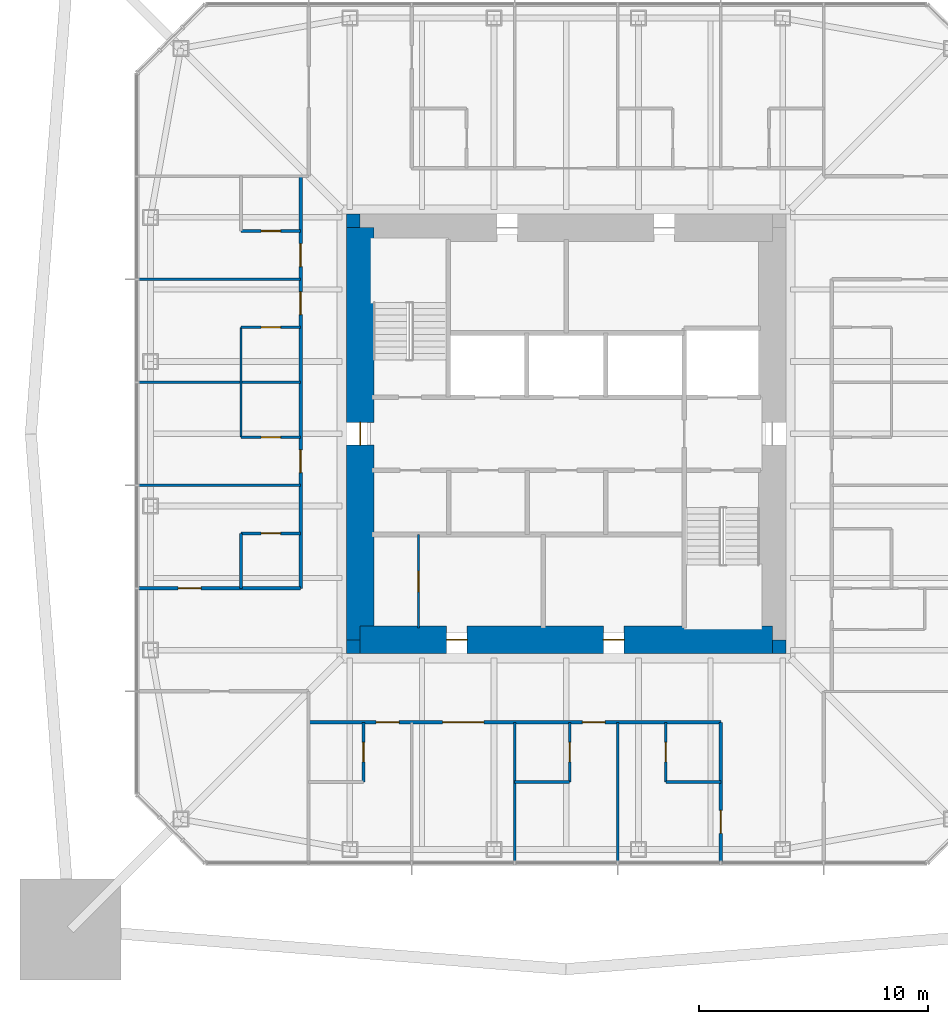
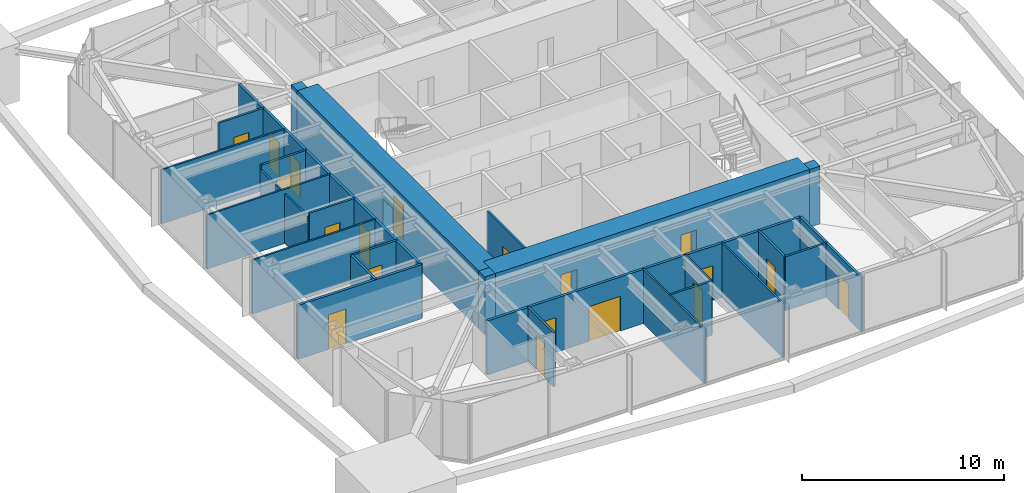
# One storey, part 8 of 13: 26 walls, 19 doors, 19 openings.
"""IFC4 building model written with IfcOpenShell, lengths in metres."""

from ifc_helpers import new_model, si_unit, direction, frame, frame_2d, origin, place, context, subcontext, project, spatial, rectangle, extrude, material, layer, layer_set, type_object, element, fill, save


model = new_model("IFC4")

# Units and contexts
model_context = context("Model", 3, precision=1e-05, world=origin(), true_north=direction((0.0, 1.0)))
body_context = subcontext(model_context, "Body", "Model", "MODEL_VIEW")
ifc_project = project(units=[si_unit("LENGTHUNIT", "METRE"), si_unit("AREAUNIT", "SQUARE_METRE"), si_unit("VOLUMEUNIT", "CUBIC_METRE"), si_unit("PLANEANGLEUNIT", "RADIAN"), si_unit("MASSUNIT", "GRAM", prefix="KILO")], contexts=[model_context])

# Site, building, storey
site_placement = place(None, origin())
site = spatial("IfcSite", under=ifc_project, at=site_placement, CompositionType="ELEMENT")
building_placement = place(site_placement, origin())
building = spatial("IfcBuilding", under=site, at=building_placement, Name="Iwan Alto Co-Living Towers", CompositionType="ELEMENT")
storey_placement = place(building_placement, frame((0.0, 0.0, 160.0)))
storey = spatial("IfcBuildingStorey", under=building, at=storey_placement, Name="L43", CompositionType="ELEMENT", Elevation=160.0)

# Wall, openings, doors
ifc_material_1 = material(Name="Gypsum board")
ifc_layer_1 = layer(ifc_material_1, 0.02490234375, Name="Board", Category="Finish")
ifc_material_2 = material(Name="Steel ASTM A1003 ST33H cold-formed studs", Category="steel")
ifc_layer_2 = layer(ifc_material_2, 0.10009765625, Name="Studs", Category="Framing")
ifc_layer_3 = layer(ifc_material_1, 0.02490234375, Name="Board", Category="Finish")
ifc_layer_set_1 = layer_set([ifc_layer_1, ifc_layer_2, ifc_layer_3], Name="CORRIDOR WALL 150")
wall_type_1 = type_object("IfcWallType", Name="CORRIDOR WALL 150", PredefinedType="PARTITIONING", material=ifc_layer_set_1)
wall_1_placement = place(storey_placement, frame((-11.25, -12.60009765625, 0.0), z_axis=(0.0, 0.0, 1.0), x_axis=(1.0, 0.0, 0.0)))
wall_1 = element("IfcWall", 1, at=wall_1_placement, inside=storey, type_object=wall_type_1, Name="Partition L43", PredefinedType="PARTITIONING", context=body_context, shape_type="SweptSolid", body=[
    extrude(rectangle(XDim=18.0, YDim=0.14990234375, at=frame_2d((9.0, 0.0))), origin(), (0.0, 0.0, 1.0), 3.27001953125),
])
opening_1_placement = place(wall_1_placement, frame((2.949951171875, 0.0, 0.0)))
opening_1 = element("IfcOpeningElement", 2, at=opening_1_placement, cuts=wall_1, Name="Opening D3", PredefinedType="OPENING", context=body_context, shape_type="SweptSolid", body=[
    extrude(rectangle(XDim=1.0, YDim=2.10009765625, at=frame_2d((0.5, 1.050048828125))), frame((0.0, 0.0849609375, 0.0), z_axis=(0.0, -1.0, 0.0), x_axis=(1.0, 0.0, 0.0)), (0.0, 0.0, 1.0), 0.169921875),
])
opening_2_placement = place(wall_1_placement, frame((5.85009765625, 0.0, 0.0)))
opening_2 = element("IfcOpeningElement", 3, at=opening_2_placement, cuts=wall_1, Name="Opening D9", PredefinedType="OPENING", context=body_context, shape_type="SweptSolid", body=[
    extrude(rectangle(XDim=1.800048828125, YDim=2.10009765625, at=frame_2d((0.89990234375, 1.050048828125))), frame((0.0, 0.0849609375, 0.0), z_axis=(0.0, -1.0, 0.0), x_axis=(1.0, 0.0, 0.0)), (0.0, 0.0, 1.0), 0.169921875),
])
opening_3_placement = place(wall_1_placement, frame((11.949951171875, 0.0, 0.0)))
opening_3 = element("IfcOpeningElement", 4, at=opening_3_placement, cuts=wall_1, Name="Opening D3", PredefinedType="OPENING", context=body_context, shape_type="SweptSolid", body=[
    extrude(rectangle(XDim=1.0, YDim=2.10009765625, at=frame_2d((0.5, 1.050048828125))), frame((0.0, 0.0849609375, 0.0), z_axis=(0.0, -1.0, 0.0), x_axis=(1.0, 0.0, 0.0)), (0.0, 0.0, 1.0), 0.169921875),
])
ifc_material_3 = material(Name="Steel frame with timber leaf", Category="steel")
door_type_1 = type_object("IfcDoorType", Name="FLAT ENTRANCE DOOR FD30S 1000X2100", OperationType="SINGLE_SWING_LEFT", PredefinedType="DOOR", material=ifc_material_3)
door_1_placement = place(opening_1_placement, frame((1.0, 0.0, 0.0), z_axis=(0.0, 0.0, 1.0), x_axis=(-1.0, 0.0, 0.0)))
door_1 = element("IfcDoor", 5, at=door_1_placement, inside=storey, type_object=door_type_1, Name="Studio door L43", OperationType="SINGLE_SWING_RIGHT", OverallHeight=2.10009765625, OverallWidth=1.0, PredefinedType="DOOR", context=body_context, shape_type="SweptSolid", body=[
    extrude(rectangle(XDim=1.0, YDim=2.10009765625, at=frame_2d((0.5, 1.050048828125))), frame((0.0, 0.02490234375, 0.0), z_axis=(0.0, -1.0, 0.0), x_axis=(1.0, 0.0, 0.0)), (0.0, 0.0, 1.0), 0.050048828125),
])
fill(opening_1, door_1)
door_2_placement = place(opening_3_placement, frame((1.0, 0.0, 0.0), z_axis=(0.0, 0.0, 1.0), x_axis=(-1.0, 0.0, 0.0)))
door_2 = element("IfcDoor", 6, at=door_2_placement, inside=storey, type_object=door_type_1, Name="Studio door L43", OperationType="SINGLE_SWING_RIGHT", OverallHeight=2.10009765625, OverallWidth=1.0, PredefinedType="DOOR", context=body_context, shape_type="SweptSolid", body=[
    extrude(rectangle(XDim=1.0, YDim=2.10009765625, at=frame_2d((0.5, 1.050048828125))), frame((0.0, 0.02490234375, 0.0), z_axis=(0.0, -1.0, 0.0), x_axis=(1.0, 0.0, 0.0)), (0.0, 0.0, 1.0), 0.050048828125),
])
fill(opening_3, door_2)
ifc_material_4 = material(Name="Steel frame with timber leaf", Category="steel")
door_type_2 = type_object("IfcDoorType", Name="LOUNGE DOOR FD30S 1800X2100", OperationType="DOUBLE_DOOR_SINGLE_SWING", PredefinedType="DOOR", material=ifc_material_4)
door_3_placement = place(opening_2_placement, frame((1.800048828125, 0.0, 0.0), z_axis=(0.0, 0.0, 1.0), x_axis=(-1.0, 0.0, 0.0)))
door_3 = element("IfcDoor", 7, at=door_3_placement, inside=storey, type_object=door_type_2, Name="Seminar room door L43", OperationType="DOUBLE_DOOR_SINGLE_SWING", OverallHeight=2.10009765625, OverallWidth=1.800048828125, PredefinedType="DOOR", context=body_context, shape_type="SweptSolid", body=[
    extrude(rectangle(XDim=1.800048828125, YDim=2.10009765625, at=frame_2d((0.89990234375, 1.050048828125))), frame((0.0, 0.02490234375, 0.0), z_axis=(0.0, -1.0, 0.0), x_axis=(1.0, 0.0, 0.0)), (0.0, 0.0, 1.0), 0.050048828125),
])
fill(opening_2, door_3)

# Wall, opening, door
wall_2_placement = place(storey_placement, frame((-18.68994140625, -6.75, 0.0), z_axis=(0.0, 0.0, 1.0), x_axis=(1.0, 0.0, 0.0)))
wall_2 = element("IfcWall", 8, at=wall_2_placement, inside=storey, type_object=wall_type_1, Name="Partition L43", PredefinedType="PARTITIONING", context=body_context, shape_type="SweptSolid", body=[
    extrude(rectangle(XDim=7.08984375, YDim=0.14990234375, at=frame_2d((3.544921875, 0.0))), origin(), (0.0, 0.0, 1.0), 3.27001953125),
])
opening_4_placement = place(wall_2_placement, frame((1.7451171875, 0.0, 0.0)))
opening_4 = element("IfcOpeningElement", 9, at=opening_4_placement, cuts=wall_2, Name="Opening D3", PredefinedType="OPENING", context=body_context, shape_type="SweptSolid", body=[
    extrude(rectangle(XDim=1.0, YDim=2.10009765625, at=frame_2d((0.5, 1.050048828125))), frame((0.0, 0.0849609375, 0.0), z_axis=(0.0, -1.0, 0.0), x_axis=(1.0, 0.0, 0.0)), (0.0, 0.0, 1.0), 0.169921875),
])
door_4_placement = place(opening_4_placement, origin())
door_4 = element("IfcDoor", 10, at=door_4_placement, inside=storey, type_object=door_type_1, Name="Studio door L43", OperationType="SINGLE_SWING_RIGHT", OverallHeight=2.10009765625, OverallWidth=1.0, PredefinedType="DOOR", context=body_context, shape_type="SweptSolid", body=[
    extrude(rectangle(XDim=1.0, YDim=2.10009765625, at=frame_2d((0.5, 1.050048828125))), frame((0.0, 0.02490234375, 0.0), z_axis=(0.0, -1.0, 0.0), x_axis=(1.0, 0.0, 0.0)), (0.0, 0.0, 1.0), 0.050048828125),
])
fill(opening_4, door_4)

wall_3_placement = place(storey_placement, frame((6.75, -18.68994140625, 0.0), z_axis=(0.0, 0.0, 1.0), x_axis=(0.0, 1.0, 0.0)))
wall_3 = element("IfcWall", 11, at=wall_3_placement, inside=storey, type_object=wall_type_1, Name="Partition L43", PredefinedType="PARTITIONING", context=body_context, shape_type="SweptSolid", body=[
    extrude(rectangle(XDim=6.08984375, YDim=0.14990234375, at=frame_2d((3.044921875, 0.0))), origin(), (0.0, 0.0, 1.0), 3.27001953125),
])
opening_5_placement = place(wall_3_placement, frame((1.2451171875, 0.0, 0.0)))
opening_5 = element("IfcOpeningElement", 12, at=opening_5_placement, cuts=wall_3, Name="Opening D3", PredefinedType="OPENING", context=body_context, shape_type="SweptSolid", body=[
    extrude(rectangle(XDim=1.0, YDim=2.10009765625, at=frame_2d((0.5, 1.050048828125))), frame((0.0, 0.0849609375, 0.0), z_axis=(0.0, -1.0, 0.0), x_axis=(1.0, 0.0, 0.0)), (0.0, 0.0, 1.0), 0.169921875),
])
door_5_placement = place(opening_5_placement, origin())
door_5 = element("IfcDoor", 13, at=door_5_placement, inside=storey, type_object=door_type_1, Name="Studio door L43", OperationType="SINGLE_SWING_RIGHT", OverallHeight=2.10009765625, OverallWidth=1.0, PredefinedType="DOOR", context=body_context, shape_type="SweptSolid", body=[
    extrude(rectangle(XDim=1.0, YDim=2.10009765625, at=frame_2d((0.5, 1.050048828125))), frame((0.0, 0.02490234375, 0.0), z_axis=(0.0, -1.0, 0.0), x_axis=(1.0, 0.0, 0.0)), (0.0, 0.0, 1.0), 0.050048828125),
])
fill(opening_5, door_5)

# Wall, openings, doors
wall_4_placement = place(storey_placement, frame((-11.60009765625, -6.75, 0.0), z_axis=(0.0, 0.0, 1.0), x_axis=(0.0, 1.0, 0.0)))
wall_4 = element("IfcWall", 14, at=wall_4_placement, inside=storey, type_object=wall_type_1, Name="Partition L43", PredefinedType="PARTITIONING", context=body_context, shape_type="SweptSolid", body=[
    extrude(rectangle(XDim=18.0, YDim=0.14990234375, at=frame_2d((9.0, 0.0))), origin(), (0.0, 0.0, 1.0), 3.27001953125),
])
opening_6_placement = place(wall_4_placement, frame((14.050048828125, 0.0, 0.0)))
opening_6 = element("IfcOpeningElement", 15, at=opening_6_placement, cuts=wall_4, Name="Opening D3", PredefinedType="OPENING", context=body_context, shape_type="SweptSolid", body=[
    extrude(rectangle(XDim=1.0, YDim=2.10009765625, at=frame_2d((0.5, 1.050048828125))), frame((0.0, 0.0849609375, 0.0), z_axis=(0.0, -1.0, 0.0), x_axis=(1.0, 0.0, 0.0)), (0.0, 0.0, 1.0), 0.169921875),
])
opening_7_placement = place(wall_4_placement, frame((11.949951171875, 0.0, 0.0)))
opening_7 = element("IfcOpeningElement", 16, at=opening_7_placement, cuts=wall_4, Name="Opening D3", PredefinedType="OPENING", context=body_context, shape_type="SweptSolid", body=[
    extrude(rectangle(XDim=1.0, YDim=2.10009765625, at=frame_2d((0.5, 1.050048828125))), frame((0.0, 0.0849609375, 0.0), z_axis=(0.0, -1.0, 0.0), x_axis=(1.0, 0.0, 0.0)), (0.0, 0.0, 1.0), 0.169921875),
])
opening_8_placement = place(wall_4_placement, frame((5.050048828125, 0.0, 0.0)))
opening_8 = element("IfcOpeningElement", 17, at=opening_8_placement, cuts=wall_4, Name="Opening D3", PredefinedType="OPENING", context=body_context, shape_type="SweptSolid", body=[
    extrude(rectangle(XDim=1.0, YDim=2.10009765625, at=frame_2d((0.5, 1.050048828125))), frame((0.0, 0.0849609375, 0.0), z_axis=(0.0, -1.0, 0.0), x_axis=(1.0, 0.0, 0.0)), (0.0, 0.0, 1.0), 0.169921875),
])
door_6_placement = place(opening_6_placement, origin())
door_6 = element("IfcDoor", 18, at=door_6_placement, inside=storey, type_object=door_type_1, Name="Studio door L43", OperationType="SINGLE_SWING_LEFT", OverallHeight=2.10009765625, OverallWidth=1.0, PredefinedType="DOOR", context=body_context, shape_type="SweptSolid", body=[
    extrude(rectangle(XDim=1.0, YDim=2.10009765625, at=frame_2d((0.5, 1.050048828125))), frame((0.0, 0.02490234375, 0.0), z_axis=(0.0, -1.0, 0.0), x_axis=(1.0, 0.0, 0.0)), (0.0, 0.0, 1.0), 0.050048828125),
])
fill(opening_6, door_6)
door_7_placement = place(opening_7_placement, origin())
door_7 = element("IfcDoor", 19, at=door_7_placement, inside=storey, type_object=door_type_1, Name="Studio door L43", OperationType="SINGLE_SWING_LEFT", OverallHeight=2.10009765625, OverallWidth=1.0, PredefinedType="DOOR", context=body_context, shape_type="SweptSolid", body=[
    extrude(rectangle(XDim=1.0, YDim=2.10009765625, at=frame_2d((0.5, 1.050048828125))), frame((0.0, 0.02490234375, 0.0), z_axis=(0.0, -1.0, 0.0), x_axis=(1.0, 0.0, 0.0)), (0.0, 0.0, 1.0), 0.050048828125),
])
fill(opening_7, door_7)
door_8_placement = place(opening_8_placement, origin())
door_8 = element("IfcDoor", 20, at=door_8_placement, inside=storey, type_object=door_type_1, Name="Studio door L43", OperationType="SINGLE_SWING_LEFT", OverallHeight=2.10009765625, OverallWidth=1.0, PredefinedType="DOOR", context=body_context, shape_type="SweptSolid", body=[
    extrude(rectangle(XDim=1.0, YDim=2.10009765625, at=frame_2d((0.5, 1.050048828125))), frame((0.0, 0.02490234375, 0.0), z_axis=(0.0, -1.0, 0.0), x_axis=(1.0, 0.0, 0.0)), (0.0, 0.0, 1.0), 0.050048828125),
])
fill(opening_8, door_8)

# Walls
ifc_layer_4 = layer(ifc_material_1, 0.012451171875, Name="Board", Category="Finish")
ifc_layer_5 = layer(ifc_material_2, 0.074951171875, Name="Studs", Category="Framing")
ifc_layer_6 = layer(ifc_material_1, 0.012451171875, Name="Board", Category="Finish")
ifc_layer_set_2 = layer_set([ifc_layer_4, ifc_layer_5, ifc_layer_6], Name="PARTITION 100")
wall_type_2 = type_object("IfcWallType", Name="PARTITION 100", PredefinedType="PARTITIONING", material=ifc_layer_set_2)
for number, where, z_axis, x_axis, name in (
    (21, (-18.68994140625, -2.25, 0.0), (0.0, 0.0, 1.0), (1.0, 0.0, 0.0), "Partition L43"),
    (22, (-18.68994140625, 2.25, 0.0), (0.0, 0.0, 1.0), (1.0, 0.0, 0.0), "Partition L43"),
    (23, (-18.68994140625, 6.75, 0.0), (0.0, 0.0, 1.0), (1.0, 0.0, 0.0), "Partition L43"),
):
    element("IfcWall", number, at=place(storey_placement, frame(where, z_axis=z_axis, x_axis=x_axis)), inside=storey, type_object=wall_type_2, Name=name, PredefinedType="PARTITIONING", context=body_context, shape_type="SweptSolid", body=[
        extrude(rectangle(XDim=7.08984375, YDim=0.10009765625, at=frame_2d((3.544921875, 0.0))), origin(), (0.0, 0.0, 1.0), 3.27001953125),
    ])
for number, where, z_axis, x_axis, name in (
    (24, (2.25, -18.68994140625, 0.0), (0.0, 0.0, 1.0), (0.0, 1.0, 0.0), "Partition L43"),
    (25, (-2.25, -18.68994140625, 0.0), (0.0, 0.0, 1.0), (0.0, 1.0, 0.0), "Partition L43"),
):
    element("IfcWall", number, at=place(storey_placement, frame(where, z_axis=z_axis, x_axis=x_axis)), inside=storey, type_object=wall_type_2, Name=name, PredefinedType="PARTITIONING", context=body_context, shape_type="SweptSolid", body=[
        extrude(rectangle(XDim=6.08984375, YDim=0.10009765625, at=frame_2d((3.044921875, 0.0))), origin(), (0.0, 0.0, 1.0), 3.27001953125),
    ])

# Wall, opening, door
wall_5_placement = place(storey_placement, frame((-6.449951171875, -8.489990234375, 0.0), z_axis=(0.0, 0.0, 1.0), x_axis=(0.0, 1.0, 0.0)))
wall_5 = element("IfcWall", 26, at=wall_5_placement, inside=storey, type_object=wall_type_2, Name="Partition L43", PredefinedType="PARTITIONING", context=body_context, shape_type="SweptSolid", body=[
    extrude(rectangle(XDim=4.090087890625, YDim=0.10009765625, at=frame_2d((2.044921875, 0.0))), origin(), (0.0, 0.0, 1.0), 3.300048828125),
])
opening_9_placement = place(wall_5_placement, frame((1.594970703125, 0.0, 0.0)))
opening_9 = element("IfcOpeningElement", 27, at=opening_9_placement, cuts=wall_5, Name="Opening D16", PredefinedType="OPENING", context=body_context, shape_type="SweptSolid", body=[
    extrude(rectangle(XDim=0.89990234375, YDim=2.10009765625, at=frame_2d((0.449951171875, 1.050048828125))), frame((0.0, 0.06005859375, 0.0), z_axis=(0.0, -1.0, 0.0), x_axis=(1.0, 0.0, 0.0)), (0.0, 0.0, 1.0), 0.1201171875),
])
ifc_material_5 = material(Name="Timber leaf in steel frame", Category="steel")
door_type_3 = type_object("IfcDoorType", Name="CUPBOARD SLIDING DOOR 900X2100", OperationType="SLIDING_TO_LEFT", PredefinedType="DOOR", material=ifc_material_5)
door_9_placement = place(opening_9_placement, origin())
door_9 = element("IfcDoor", 28, at=door_9_placement, inside=storey, type_object=door_type_3, Name="Bulky waste store door L43", OperationType="SLIDING_TO_LEFT", OverallHeight=2.10009765625, OverallWidth=0.89990234375, PredefinedType="DOOR", context=body_context, shape_type="SweptSolid", body=[
    extrude(rectangle(XDim=0.89990234375, YDim=2.10009765625, at=frame_2d((0.449951171875, 1.050048828125))), frame((0.0, 0.02490234375, 0.0), z_axis=(0.0, -1.0, 0.0), x_axis=(1.0, 0.0, 0.0)), (0.0, 0.0, 1.0), 0.050048828125),
])
fill(opening_9, door_9)

# Walls
wall_6_placement = place(storey_placement, frame((-14.199951171875, -0.14990234375, 0.0), z_axis=(0.0, 0.0, 1.0), x_axis=(0.0, 1.0, 0.0)))
element("IfcWall", 29, at=wall_6_placement, inside=storey, type_object=wall_type_2, Name="Partition L43", PredefinedType="PARTITIONING", context=body_context, shape_type="SweptSolid", body=[
    extrude(rectangle(XDim=4.7998046875, YDim=0.10009765625, at=frame_2d((2.39990234375, 0.0))), origin(), (0.0, 0.0, 1.0), 3.0),
])
ifc_material_6 = material(Name="Concrete f'c 70 MPa", Category="concrete")
ifc_layer_7 = layer(ifc_material_6, 0.60009765625)
ifc_layer_set_3 = layer_set([ifc_layer_7], Name="T1 CORE CORNER FILL 600")
wall_type_3 = type_object("IfcWallType", Name="T1 CORE CORNER FILL 600", PredefinedType="SOLIDWALL", material=ifc_layer_set_3)
for number, where, z_axis, x_axis, name in (
    (30, (-9.60009765625, -9.300048828125, 0.0), (0.0, 0.0, 1.0), (1.0, 0.0, 0.0), "T1 core corner SW L43"),
    (31, (9.0, -9.300048828125, 0.0), (0.0, 0.0, 1.0), (1.0, 0.0, 0.0), "T1 core corner SE L43"),
    (32, (-9.60009765625, 9.300048828125, 0.0), (0.0, 0.0, 1.0), (1.0, 0.0, 0.0), "T1 core corner NW L43"),
):
    element("IfcWall", number, at=place(storey_placement, frame(where, z_axis=z_axis, x_axis=x_axis)), inside=storey, type_object=wall_type_3, Name=name, PredefinedType="SOLIDWALL", context=body_context, shape_type="SweptSolid", body=[
        extrude(rectangle(XDim=0.60009765625, YDim=0.60009765625, at=frame_2d((0.300048828125, 0.0))), origin(), (0.0, 0.0, 1.0), 3.5),
    ])

# Wall, openings, doors
ifc_material_7 = material(Name="Concrete f'c 70 MPa", Category="concrete")
ifc_layer_8 = layer(ifc_material_7, 1.199951171875)
ifc_layer_set_4 = layer_set([ifc_layer_8], Name="T1 CORE WALL 1200")
wall_type_4 = type_object("IfcWallType", Name="T1 CORE WALL 1200", PredefinedType="SHEAR", material=ifc_layer_set_4)
wall_7_placement = place(storey_placement, frame((-9.0, -9.0, 0.0), z_axis=(0.0, 0.0, 1.0), x_axis=(1.0, 0.0, 0.0)))
wall_7 = element("IfcWall", 33, at=wall_7_placement, inside=storey, type_object=wall_type_4, Name="T1 core wall S L43", PredefinedType="SHEAR", context=body_context, shape_type="SweptSolid", body=[
    extrude(rectangle(XDim=18.0, YDim=1.199951171875, at=frame_2d((9.0, 0.0))), origin(), (0.0, 0.0, 1.0), 3.5),
])
opening_10_placement = place(wall_7_placement, frame((3.77490234375, 0.0, 0.0)))
opening_10 = element("IfcOpeningElement", 34, at=opening_10_placement, cuts=wall_7, Name="Opening D8", PredefinedType="OPENING", context=body_context, shape_type="SweptSolid", body=[
    extrude(rectangle(XDim=0.89990234375, YDim=2.10009765625, at=frame_2d((0.449951171875, 1.050048828125))), frame((0.0, 0.60986328125, 0.0), z_axis=(0.0, -1.0, 0.0), x_axis=(1.0, 0.0, 0.0)), (0.0, 0.0, 1.0), 1.219970703125),
])
opening_11_placement = place(wall_7_placement, frame((10.625, 0.0, 0.0)))
opening_11 = element("IfcOpeningElement", 35, at=opening_11_placement, cuts=wall_7, Name="Opening D8", PredefinedType="OPENING", context=body_context, shape_type="SweptSolid", body=[
    extrude(rectangle(XDim=0.89990234375, YDim=2.10009765625, at=frame_2d((0.449951171875, 1.050048828125))), frame((0.0, 0.60986328125, 0.0), z_axis=(0.0, -1.0, 0.0), x_axis=(1.0, 0.0, 0.0)), (0.0, 0.0, 1.0), 1.219970703125),
])
ifc_material_8 = material(Name="Steel frame with timber leaf", Category="steel")
door_type_4 = type_object("IfcDoorType", Name="RISER DOOR FD120 900X2100", OperationType="SINGLE_SWING_LEFT", PredefinedType="DOOR", material=ifc_material_8)
door_10_placement = place(opening_10_placement, origin())
door_10 = element("IfcDoor", 36, at=door_10_placement, inside=storey, type_object=door_type_4, Name="Refuse room core door L43", OperationType="SINGLE_SWING_LEFT", OverallHeight=2.10009765625, OverallWidth=0.89990234375, PredefinedType="DOOR", context=body_context, shape_type="SweptSolid", body=[
    extrude(rectangle(XDim=0.89990234375, YDim=2.10009765625, at=frame_2d((0.449951171875, 1.050048828125))), frame((0.0, 0.02490234375, 0.0), z_axis=(0.0, -1.0, 0.0), x_axis=(1.0, 0.0, 0.0)), (0.0, 0.0, 1.0), 0.050048828125),
])
fill(opening_10, door_10)
door_11_placement = place(opening_11_placement, origin())
door_11 = element("IfcDoor", 37, at=door_11_placement, inside=storey, type_object=door_type_4, Name="Telecom riser core door L43", OperationType="SINGLE_SWING_LEFT", OverallHeight=2.10009765625, OverallWidth=0.89990234375, PredefinedType="DOOR", context=body_context, shape_type="SweptSolid", body=[
    extrude(rectangle(XDim=0.89990234375, YDim=2.10009765625, at=frame_2d((0.449951171875, 1.050048828125))), frame((0.0, 0.02490234375, 0.0), z_axis=(0.0, -1.0, 0.0), x_axis=(1.0, 0.0, 0.0)), (0.0, 0.0, 1.0), 0.050048828125),
])
fill(opening_11, door_11)

# Wall, opening, door
wall_8_placement = place(storey_placement, frame((-9.0, 9.0, 0.0), z_axis=(0.0, 0.0, 1.0), x_axis=(0.0, -1.0, 0.0)))
wall_8 = element("IfcWall", 38, at=wall_8_placement, inside=storey, type_object=wall_type_4, Name="T1 core wall W L43", PredefinedType="SHEAR", context=body_context, shape_type="SweptSolid", body=[
    extrude(rectangle(XDim=18.0, YDim=1.199951171875, at=frame_2d((9.0, 0.0))), origin(), (0.0, 0.0, 1.0), 3.5),
])
opening_12_placement = place(wall_8_placement, frame((8.5, 0.0, 0.0)))
opening_12 = element("IfcOpeningElement", 39, at=opening_12_placement, cuts=wall_8, Name="Opening D7", PredefinedType="OPENING", context=body_context, shape_type="SweptSolid", body=[
    extrude(rectangle(XDim=1.0, YDim=2.10009765625, at=frame_2d((0.5, 1.050048828125))), frame((0.0, 0.60986328125, 0.0), z_axis=(0.0, -1.0, 0.0), x_axis=(1.0, 0.0, 0.0)), (0.0, 0.0, 1.0), 1.219970703125),
])
ifc_material_9 = material(Name="Steel frame with timber leaf", Category="steel")
door_type_5 = type_object("IfcDoorType", Name="CORE DOOR FD120S 1000X2100", OperationType="SINGLE_SWING_LEFT", PredefinedType="DOOR", material=ifc_material_9)
door_12_placement = place(opening_12_placement, origin())
door_12 = element("IfcDoor", 40, at=door_12_placement, inside=storey, type_object=door_type_5, Name="Lift lobby core door L43", OperationType="SINGLE_SWING_RIGHT", OverallHeight=2.10009765625, OverallWidth=1.0, PredefinedType="DOOR", context=body_context, shape_type="SweptSolid", body=[
    extrude(rectangle(XDim=1.0, YDim=2.10009765625, at=frame_2d((0.5, 1.050048828125))), frame((0.0, 0.02490234375, 0.0), z_axis=(0.0, -1.0, 0.0), x_axis=(1.0, 0.0, 0.0)), (0.0, 0.0, 1.0), 0.050048828125),
])
fill(opening_12, door_12)

# Walls
ifc_material_10 = material(Name="Cement board")
ifc_layer_9 = layer(ifc_material_10, 0.012451171875, Name="Board", Category="Finish")
ifc_layer_10 = layer(ifc_material_2, 0.094970703125, Name="Studs", Category="Framing")
ifc_layer_11 = layer(ifc_material_10, 0.012451171875, Name="Board", Category="Finish")
ifc_layer_set_5 = layer_set([ifc_layer_9, ifc_layer_10, ifc_layer_11], Name="WET AREA PARTITION 120")
wall_type_5 = type_object("IfcWallType", Name="WET AREA PARTITION 120", PredefinedType="PARTITIONING", material=ifc_layer_set_5)
for number, where, z_axis, x_axis, name in (
    (41, (-2.25, -15.199951171875, 0.0), (0.0, 0.0, 1.0), (1.0, 0.0, 0.0), "Partition L43"),
    (42, (4.35009765625, -15.199951171875, 0.0), (0.0, 0.0, 1.0), (1.0, 0.0, 0.0), "Partition L43"),
):
    element("IfcWall", number, at=place(storey_placement, frame(where, z_axis=z_axis, x_axis=x_axis)), inside=storey, type_object=wall_type_5, Name=name, PredefinedType="PARTITIONING", context=body_context, shape_type="SweptSolid", body=[
        extrude(rectangle(XDim=2.39990234375, YDim=0.1201171875, at=frame_2d((1.199951171875, 0.0))), origin(), (0.0, 0.0, 1.0), 3.27001953125),
    ])

# Wall, opening, door
wall_9_placement = place(storey_placement, frame((-14.199951171875, -4.35009765625, 0.0), z_axis=(0.0, 0.0, 1.0), x_axis=(1.0, 0.0, 0.0)))
wall_9 = element("IfcWall", 43, at=wall_9_placement, inside=storey, type_object=wall_type_5, Name="Partition L43", PredefinedType="PARTITIONING", context=body_context, shape_type="SweptSolid", body=[
    extrude(rectangle(XDim=2.599853515625, YDim=0.1201171875, at=frame_2d((1.2998046875, 0.0))), origin(), (0.0, 0.0, 1.0), 3.27001953125),
])
opening_13_placement = place(wall_9_placement, frame((0.875, 0.0, 0.0)))
opening_13 = element("IfcOpeningElement", 44, at=opening_13_placement, cuts=wall_9, Name="Opening D2", PredefinedType="OPENING", context=body_context, shape_type="SweptSolid", body=[
    extrude(rectangle(XDim=0.85009765625, YDim=2.10009765625, at=frame_2d((0.425048828125, 1.050048828125))), frame((0.0, 0.070068359375, 0.0), z_axis=(0.0, -1.0, 0.0), x_axis=(1.0, 0.0, 0.0)), (0.0, 0.0, 1.0), 0.14013671875),
])
ifc_material_11 = material(Name="Timber leaf in steel frame", Category="steel")
door_type_6 = type_object("IfcDoorType", Name="ROOM DOOR 850X2100", OperationType="SINGLE_SWING_LEFT", PredefinedType="DOOR", material=ifc_material_11)
door_13_placement = place(opening_13_placement, origin())
door_13 = element("IfcDoor", 45, at=door_13_placement, inside=storey, type_object=door_type_6, Name="En-suite shower room door L43", OperationType="SINGLE_SWING_RIGHT", OverallHeight=2.10009765625, OverallWidth=0.85009765625, PredefinedType="DOOR", context=body_context, shape_type="SweptSolid", body=[
    extrude(rectangle(XDim=0.85009765625, YDim=2.10009765625, at=frame_2d((0.425048828125, 1.050048828125))), frame((0.0, 0.02490234375, 0.0), z_axis=(0.0, -1.0, 0.0), x_axis=(1.0, 0.0, 0.0)), (0.0, 0.0, 1.0), 0.050048828125),
])
fill(opening_13, door_13)

wall_10_placement = place(storey_placement, frame((-14.199951171875, -0.14990234375, 0.0), z_axis=(0.0, 0.0, 1.0), x_axis=(1.0, 0.0, 0.0)))
wall_10 = element("IfcWall", 46, at=wall_10_placement, inside=storey, type_object=wall_type_5, Name="Partition L43", PredefinedType="PARTITIONING", context=body_context, shape_type="SweptSolid", body=[
    extrude(rectangle(XDim=2.599853515625, YDim=0.1201171875, at=frame_2d((1.2998046875, 0.0))), origin(), (0.0, 0.0, 1.0), 3.27001953125),
])
opening_14_placement = place(wall_10_placement, frame((0.875, 0.0, 0.0)))
opening_14 = element("IfcOpeningElement", 47, at=opening_14_placement, cuts=wall_10, Name="Opening D2", PredefinedType="OPENING", context=body_context, shape_type="SweptSolid", body=[
    extrude(rectangle(XDim=0.85009765625, YDim=2.10009765625, at=frame_2d((0.425048828125, 1.050048828125))), frame((0.0, 0.070068359375, 0.0), z_axis=(0.0, -1.0, 0.0), x_axis=(1.0, 0.0, 0.0)), (0.0, 0.0, 1.0), 0.14013671875),
])
door_14_placement = place(opening_14_placement, frame((0.85009765625, 0.0, 0.0), z_axis=(0.0, 0.0, 1.0), x_axis=(-1.0, 0.0, 0.0)))
door_14 = element("IfcDoor", 48, at=door_14_placement, inside=storey, type_object=door_type_6, Name="En-suite shower room door L43", OperationType="SINGLE_SWING_LEFT", OverallHeight=2.10009765625, OverallWidth=0.85009765625, PredefinedType="DOOR", context=body_context, shape_type="SweptSolid", body=[
    extrude(rectangle(XDim=0.85009765625, YDim=2.10009765625, at=frame_2d((0.425048828125, 1.050048828125))), frame((0.0, 0.02490234375, 0.0), z_axis=(0.0, -1.0, 0.0), x_axis=(1.0, 0.0, 0.0)), (0.0, 0.0, 1.0), 0.050048828125),
])
fill(opening_14, door_14)

wall_11_placement = place(storey_placement, frame((-14.199951171875, 4.64990234375, 0.0), z_axis=(0.0, 0.0, 1.0), x_axis=(1.0, 0.0, 0.0)))
wall_11 = element("IfcWall", 49, at=wall_11_placement, inside=storey, type_object=wall_type_5, Name="Partition L43", PredefinedType="PARTITIONING", context=body_context, shape_type="SweptSolid", body=[
    extrude(rectangle(XDim=2.599853515625, YDim=0.1201171875, at=frame_2d((1.2998046875, 0.0))), origin(), (0.0, 0.0, 1.0), 3.27001953125),
])
opening_15_placement = place(wall_11_placement, frame((0.875, 0.0, 0.0)))
opening_15 = element("IfcOpeningElement", 50, at=opening_15_placement, cuts=wall_11, Name="Opening D2", PredefinedType="OPENING", context=body_context, shape_type="SweptSolid", body=[
    extrude(rectangle(XDim=0.85009765625, YDim=2.10009765625, at=frame_2d((0.425048828125, 1.050048828125))), frame((0.0, 0.070068359375, 0.0), z_axis=(0.0, -1.0, 0.0), x_axis=(1.0, 0.0, 0.0)), (0.0, 0.0, 1.0), 0.14013671875),
])
door_15_placement = place(opening_15_placement, origin())
door_15 = element("IfcDoor", 51, at=door_15_placement, inside=storey, type_object=door_type_6, Name="En-suite shower room door L43", OperationType="SINGLE_SWING_RIGHT", OverallHeight=2.10009765625, OverallWidth=0.85009765625, PredefinedType="DOOR", context=body_context, shape_type="SweptSolid", body=[
    extrude(rectangle(XDim=0.85009765625, YDim=2.10009765625, at=frame_2d((0.425048828125, 1.050048828125))), frame((0.0, 0.02490234375, 0.0), z_axis=(0.0, -1.0, 0.0), x_axis=(1.0, 0.0, 0.0)), (0.0, 0.0, 1.0), 0.050048828125),
])
fill(opening_15, door_15)

wall_12_placement = place(storey_placement, frame((-14.199951171875, 8.85009765625, 0.0), z_axis=(0.0, 0.0, 1.0), x_axis=(1.0, 0.0, 0.0)))
wall_12 = element("IfcWall", 52, at=wall_12_placement, inside=storey, type_object=wall_type_5, Name="Partition L43", PredefinedType="PARTITIONING", context=body_context, shape_type="SweptSolid", body=[
    extrude(rectangle(XDim=2.599853515625, YDim=0.1201171875, at=frame_2d((1.2998046875, 0.0))), origin(), (0.0, 0.0, 1.0), 3.27001953125),
])
opening_16_placement = place(wall_12_placement, frame((0.875, 0.0, 0.0)))
opening_16 = element("IfcOpeningElement", 53, at=opening_16_placement, cuts=wall_12, Name="Opening D2", PredefinedType="OPENING", context=body_context, shape_type="SweptSolid", body=[
    extrude(rectangle(XDim=0.85009765625, YDim=2.10009765625, at=frame_2d((0.425048828125, 1.050048828125))), frame((0.0, 0.070068359375, 0.0), z_axis=(0.0, -1.0, 0.0), x_axis=(1.0, 0.0, 0.0)), (0.0, 0.0, 1.0), 0.14013671875),
])
door_16_placement = place(opening_16_placement, frame((0.85009765625, 0.0, 0.0), z_axis=(0.0, 0.0, 1.0), x_axis=(-1.0, 0.0, 0.0)))
door_16 = element("IfcDoor", 54, at=door_16_placement, inside=storey, type_object=door_type_6, Name="En-suite shower room door L43", OperationType="SINGLE_SWING_LEFT", OverallHeight=2.10009765625, OverallWidth=0.85009765625, PredefinedType="DOOR", context=body_context, shape_type="SweptSolid", body=[
    extrude(rectangle(XDim=0.85009765625, YDim=2.10009765625, at=frame_2d((0.425048828125, 1.050048828125))), frame((0.0, 0.02490234375, 0.0), z_axis=(0.0, -1.0, 0.0), x_axis=(1.0, 0.0, 0.0)), (0.0, 0.0, 1.0), 0.050048828125),
])
fill(opening_16, door_16)

wall_13_placement = place(storey_placement, frame((4.35009765625, -15.199951171875, 0.0), z_axis=(0.0, 0.0, 1.0), x_axis=(0.0, 1.0, 0.0)))
wall_13 = element("IfcWall", 55, at=wall_13_placement, inside=storey, type_object=wall_type_5, Name="Partition L43", PredefinedType="PARTITIONING", context=body_context, shape_type="SweptSolid", body=[
    extrude(rectangle(XDim=2.599853515625, YDim=0.1201171875, at=frame_2d((1.2998046875, 0.0))), origin(), (0.0, 0.0, 1.0), 3.27001953125),
])
opening_17_placement = place(wall_13_placement, frame((0.875, 0.0, 0.0)))
opening_17 = element("IfcOpeningElement", 56, at=opening_17_placement, cuts=wall_13, Name="Opening D2", PredefinedType="OPENING", context=body_context, shape_type="SweptSolid", body=[
    extrude(rectangle(XDim=0.85009765625, YDim=2.10009765625, at=frame_2d((0.425048828125, 1.050048828125))), frame((0.0, 0.070068359375, 0.0), z_axis=(0.0, -1.0, 0.0), x_axis=(1.0, 0.0, 0.0)), (0.0, 0.0, 1.0), 0.14013671875),
])
door_17_placement = place(opening_17_placement, origin())
door_17 = element("IfcDoor", 57, at=door_17_placement, inside=storey, type_object=door_type_6, Name="En-suite shower room door L43", OperationType="SINGLE_SWING_RIGHT", OverallHeight=2.10009765625, OverallWidth=0.85009765625, PredefinedType="DOOR", context=body_context, shape_type="SweptSolid", body=[
    extrude(rectangle(XDim=0.85009765625, YDim=2.10009765625, at=frame_2d((0.425048828125, 1.050048828125))), frame((0.0, 0.02490234375, 0.0), z_axis=(0.0, -1.0, 0.0), x_axis=(1.0, 0.0, 0.0)), (0.0, 0.0, 1.0), 0.050048828125),
])
fill(opening_17, door_17)

wall_14_placement = place(storey_placement, frame((0.14990234375, -15.199951171875, 0.0), z_axis=(0.0, 0.0, 1.0), x_axis=(0.0, 1.0, 0.0)))
wall_14 = element("IfcWall", 58, at=wall_14_placement, inside=storey, type_object=wall_type_5, Name="Partition L43", PredefinedType="PARTITIONING", context=body_context, shape_type="SweptSolid", body=[
    extrude(rectangle(XDim=2.599853515625, YDim=0.1201171875, at=frame_2d((1.2998046875, 0.0))), origin(), (0.0, 0.0, 1.0), 3.27001953125),
])
opening_18_placement = place(wall_14_placement, frame((0.875, 0.0, 0.0)))
opening_18 = element("IfcOpeningElement", 59, at=opening_18_placement, cuts=wall_14, Name="Opening D2", PredefinedType="OPENING", context=body_context, shape_type="SweptSolid", body=[
    extrude(rectangle(XDim=0.85009765625, YDim=2.10009765625, at=frame_2d((0.425048828125, 1.050048828125))), frame((0.0, 0.070068359375, 0.0), z_axis=(0.0, -1.0, 0.0), x_axis=(1.0, 0.0, 0.0)), (0.0, 0.0, 1.0), 0.14013671875),
])
door_18_placement = place(opening_18_placement, frame((0.85009765625, 0.0, 0.0), z_axis=(0.0, 0.0, 1.0), x_axis=(-1.0, 0.0, 0.0)))
door_18 = element("IfcDoor", 60, at=door_18_placement, inside=storey, type_object=door_type_6, Name="En-suite shower room door L43", OperationType="SINGLE_SWING_LEFT", OverallHeight=2.10009765625, OverallWidth=0.85009765625, PredefinedType="DOOR", context=body_context, shape_type="SweptSolid", body=[
    extrude(rectangle(XDim=0.85009765625, YDim=2.10009765625, at=frame_2d((0.425048828125, 1.050048828125))), frame((0.0, 0.02490234375, 0.0), z_axis=(0.0, -1.0, 0.0), x_axis=(1.0, 0.0, 0.0)), (0.0, 0.0, 1.0), 0.050048828125),
])
fill(opening_18, door_18)

wall_15_placement = place(storey_placement, frame((-8.85009765625, -15.199951171875, 0.0), z_axis=(0.0, 0.0, 1.0), x_axis=(0.0, 1.0, 0.0)))
wall_15 = element("IfcWall", 61, at=wall_15_placement, inside=storey, type_object=wall_type_5, Name="Partition L43", PredefinedType="PARTITIONING", context=body_context, shape_type="SweptSolid", body=[
    extrude(rectangle(XDim=2.599853515625, YDim=0.1201171875, at=frame_2d((1.2998046875, 0.0))), origin(), (0.0, 0.0, 1.0), 3.27001953125),
])
opening_19_placement = place(wall_15_placement, frame((0.875, 0.0, 0.0)))
opening_19 = element("IfcOpeningElement", 62, at=opening_19_placement, cuts=wall_15, Name="Opening D2", PredefinedType="OPENING", context=body_context, shape_type="SweptSolid", body=[
    extrude(rectangle(XDim=0.85009765625, YDim=2.10009765625, at=frame_2d((0.425048828125, 1.050048828125))), frame((0.0, 0.070068359375, 0.0), z_axis=(0.0, -1.0, 0.0), x_axis=(1.0, 0.0, 0.0)), (0.0, 0.0, 1.0), 0.14013671875),
])
door_19_placement = place(opening_19_placement, frame((0.85009765625, 0.0, 0.0), z_axis=(0.0, 0.0, 1.0), x_axis=(-1.0, 0.0, 0.0)))
door_19 = element("IfcDoor", 63, at=door_19_placement, inside=storey, type_object=door_type_6, Name="En-suite shower room door L43", OperationType="SINGLE_SWING_LEFT", OverallHeight=2.10009765625, OverallWidth=0.85009765625, PredefinedType="DOOR", context=body_context, shape_type="SweptSolid", body=[
    extrude(rectangle(XDim=0.85009765625, YDim=2.10009765625, at=frame_2d((0.425048828125, 1.050048828125))), frame((0.0, 0.02490234375, 0.0), z_axis=(0.0, -1.0, 0.0), x_axis=(1.0, 0.0, 0.0)), (0.0, 0.0, 1.0), 0.050048828125),
])
fill(opening_19, door_19)

# Wall
wall_16_placement = place(storey_placement, frame((-14.199951171875, -6.75, 0.0), z_axis=(0.0, 0.0, 1.0), x_axis=(0.0, 1.0, 0.0)))
element("IfcWall", 64, at=wall_16_placement, inside=storey, type_object=wall_type_5, Name="Partition L43", PredefinedType="PARTITIONING", context=body_context, shape_type="SweptSolid", body=[
    extrude(rectangle(XDim=2.39990234375, YDim=0.1201171875, at=frame_2d((1.199951171875, 0.0))), origin(), (0.0, 0.0, 1.0), 3.27001953125),
])

save(model, "model.ifc")
